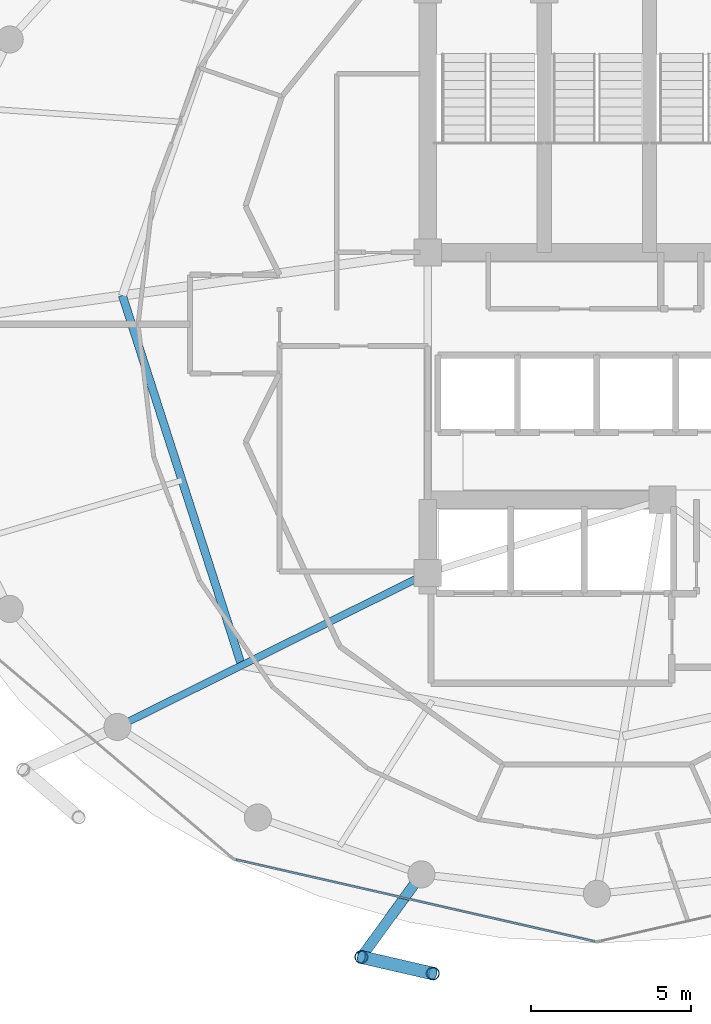
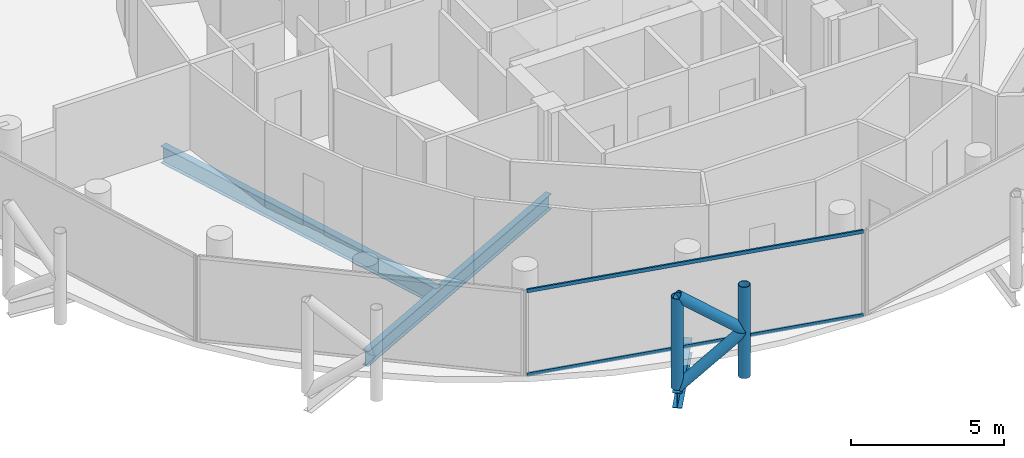
# One storey, part 4 of 27: 6 members, 3 beams, 1 element without a shape of its own.
"""IFC4 building model written with IfcOpenShell, lengths in metres."""

from ifc_helpers import new_model, si_unit, direction, frame, origin, origin_2d, place, context, subcontext, project, spatial, hollow_rectangle, hollow_circle, i_section, extrude, material, layer, layer_set, material_profile, profile_set, type_object, element, aggregate, save


model = new_model("IFC4")

# Units and contexts
model_context = context("Model", 3, precision=1e-05, world=origin(), true_north=direction((0.0, 1.0)))
body_context = subcontext(model_context, "Body", "Model", "MODEL_VIEW")
ifc_project = project(units=[si_unit("LENGTHUNIT", "METRE"), si_unit("AREAUNIT", "SQUARE_METRE"), si_unit("VOLUMEUNIT", "CUBIC_METRE"), si_unit("PLANEANGLEUNIT", "RADIAN"), si_unit("MASSUNIT", "GRAM", prefix="KILO")], contexts=[model_context])

# Site, building, storey
site_placement = place(None, origin())
site = spatial("IfcSite", under=ifc_project, at=site_placement, CompositionType="ELEMENT")
building_placement = place(site_placement, origin())
building = spatial("IfcBuilding", under=site, at=building_placement, Name="Nuhasar Tower", CompositionType="ELEMENT")
storey_placement = place(building_placement, frame((0.0, 0.0, 219.10009765625)))
storey = spatial("IfcBuildingStorey", under=building, at=storey_placement, Name="L53", CompositionType="ELEMENT", Elevation=219.10009765625)

# Beams
ifc_material_1 = material(Name="Steel S355", Category="steel")
ifc_material_profile_1 = material_profile(ifc_material_1, i_section(OverallWidth=0.25390625, OverallDepth=0.68408203125, WebThickness=0.012451171875, FlangeThickness=0.018798828125, at=origin_2d()), Name="W27X94")
ifc_profile_set_1 = profile_set([ifc_material_profile_1], Name="Steel S355")
beam_type_1 = type_object("IfcBeamType", Name="BM-INRING-W27X94", PredefinedType="BEAM", material=ifc_profile_set_1)
beam_1_placement = place(storey_placement, frame((24.1298828125, 27.699951171875, -0.58203125), z_axis=(0.306589852134, -0.951841721385, 0.0), x_axis=(0.951841721385, 0.306589852134, 0.0)))
element("IfcBeam", 1, at=beam_1_placement, inside=storey, type_object=beam_type_1, Name="L53 Inner Header Beam 08", PredefinedType="BEAM", context=body_context, shape_type="SweptSolid", body=[
    extrude(i_section(OverallWidth=0.25390625, OverallDepth=0.68408203125, WebThickness=0.012451171875, FlangeThickness=0.018798828125, at=origin_2d()), origin(), (0.0, 0.0, 1.0), 12.179443359375),
])
ifc_material_profile_2 = material_profile(ifc_material_1, i_section(OverallWidth=0.22900390625, OverallDepth=0.612060546875, WebThickness=0.011962890625, FlangeThickness=0.01953125, at=origin_2d()), Name="W24X84")
ifc_profile_set_2 = profile_set([ifc_material_profile_2], Name="Steel S355")
beam_type_2 = type_object("IfcBeamType", Name="BM-RAD-W24X84", PredefinedType="BEAM", material=ifc_profile_set_2)
beam_2_placement = place(storey_placement, frame((33.699951171875, 19.0, -0.546142578125), z_axis=(-0.895928935233, -0.444197414459, 0.0), x_axis=(0.444197414459, -0.895928935233, 0.0)))
element("IfcBeam", 2, at=beam_2_placement, inside=storey, type_object=beam_type_2, Name="L53 Radial Floor Girder 01", PredefinedType="BEAM", context=body_context, shape_type="SweptSolid", body=[
    extrude(i_section(OverallWidth=0.22900390625, OverallDepth=0.612060546875, WebThickness=0.011962890625, FlangeThickness=0.01953125, at=origin_2d()), origin(), (0.0, 0.0, 1.0), 10.85546875),
])
ifc_material_profile_3 = material_profile(ifc_material_1, i_section(OverallWidth=0.323974609375, OverallDepth=0.611083984375, WebThickness=0.0126953125, FlangeThickness=0.01904296875, at=origin_2d()), Name="W24X104")
ifc_profile_set_3 = profile_set([ifc_material_profile_3], Name="Steel S355")
beam_type_3 = type_object("IfcBeamType", Name="BM-TIE-W24X104", PredefinedType="BEAM", material=ifc_profile_set_3)
beam_3_placement = place(storey_placement, frame((33.5, 9.55810546875, -0.545166015625), z_axis=(-0.588094663461, -0.808792103577, 0.0), x_axis=(0.808792103577, -0.588094663461, 0.0)))
element("IfcBeam", 3, at=beam_3_placement, inside=storey, type_object=beam_type_3, Name="L53 Exoskeleton Node Tie Beam 09", PredefinedType="BEAM", context=body_context, shape_type="SweptSolid", body=[
    extrude(i_section(OverallWidth=0.323974609375, OverallDepth=0.611083984375, WebThickness=0.0126953125, FlangeThickness=0.01904296875, at=origin_2d()), origin(), (0.0, 0.0, 1.0), 3.20361328125),
])

# Curtain wall, members
ifc_material_2 = material(Name="Aluminium 6063-T6", Category="aluminium")
ifc_layer = layer(ifc_material_2, 0.18994140625)
ifc_layer_set = layer_set([ifc_layer], Name="Aluminium 6063-T6")
curtain_wall_type = type_object("IfcCurtainWallType", Name="CW-Z3-RES", PredefinedType="NOTDEFINED", material=ifc_layer_set)
curtain_wall_placement = place(storey_placement, origin())
curtain_wall = element("IfcCurtainWall", 4, at=curtain_wall_placement, inside=storey, type_object=curtain_wall_type, Name="L53 Unitised Curtain Wall 09", PredefinedType="NOTDEFINED")
ifc_material_profile_4 = material_profile(ifc_material_2, hollow_rectangle(XDim=0.06494140625, YDim=0.139892578125, WallThickness=0.00439453125, at=origin_2d()), Name="CWT-4")
ifc_profile_set_4 = profile_set([ifc_material_profile_4], Name="Aluminium 6063-T6")
member_type_1 = type_object("IfcMemberType", Name="CW-TRN-S4", PredefinedType="USERDEFINED", material=ifc_profile_set_4)
member_1_placement = place(storey_placement, frame((27.683349609375, 10.01953125, 0.032470703125), z_axis=(0.974989487479, -0.222250982686, 0.0), x_axis=(0.222250982686, 0.974989487479, 0.0)))
member_1 = element("IfcMember", 5, at=member_1_placement, type_object=member_type_1, Name="CW-Z3 transom 1.1", ObjectType="TRANSOM", PredefinedType="USERDEFINED", context=body_context, shape_type="SweptSolid", body=[
    extrude(hollow_rectangle(XDim=0.06494140625, YDim=0.139892578125, WallThickness=0.00439453125, at=origin_2d()), origin(), (0.0, 0.0, 1.0), 11.541748046875),
])
member_2_placement = place(storey_placement, frame((27.683349609375, 10.01953125, 3.37744140625), z_axis=(0.974989487479, -0.222250982686, 0.0), x_axis=(0.222250982686, 0.974989487479, 0.0)))
member_2 = element("IfcMember", 6, at=member_2_placement, type_object=member_type_1, Name="CW-Z3 transom 1.2", ObjectType="TRANSOM", PredefinedType="USERDEFINED", context=body_context, shape_type="SweptSolid", body=[
    extrude(hollow_rectangle(XDim=0.06494140625, YDim=0.139892578125, WallThickness=0.00439453125, at=origin_2d()), origin(), (0.0, 0.0, 1.0), 11.541748046875),
])
aggregate(curtain_wall, [member_1, member_2])

# Members
ifc_material_3 = material(Name="Steel S460", Category="steel")
ifc_material_profile_5 = material_profile(ifc_material_3, hollow_circle(Radius=0.203125, WallThickness=0.01904296875, at=origin_2d()), Name="HSS406.4X19.1")
ifc_profile_set_5 = profile_set([ifc_material_profile_5], Name="Steel S460")
member_type_2 = type_object("IfcMemberType", Name="EXO-BRONZE-406", PredefinedType="BRACE", material=ifc_profile_set_5)
for number, where, z_axis, x_axis, name in (
    (7, (31.615966796875, 6.967041015625, 0.0), (0.0, 0.0, 1.0), (1.0, 0.0, 0.0), "L53 Exoskeleton Chord Column EC-09A"),
    (8, (33.85693359375, 6.450927734375, 0.0), (0.0, 0.0, 1.0), (1.0, 0.0, 0.0), "L53 Exoskeleton Chord Column EC-09B"),
):
    element("IfcMember", number, at=place(storey_placement, frame(where, z_axis=z_axis, x_axis=x_axis)), inside=storey, type_object=member_type_2, Name=name, PredefinedType="BRACE", context=body_context, shape_type="SweptSolid", body=[
        extrude(hollow_circle(Radius=0.203125, WallThickness=0.01904296875, at=origin_2d()), origin(), (0.0, 0.0, 1.0), 3.64990234375),
    ])
for number, where, z_axis, x_axis, name in (
    (9, (31.615966796875, 6.967041015625, 0.0), (0.76333158458, -0.175801609086, 0.621625841021), (0.224433035437, 0.97448951385, 0.0), "L53 Bronze Diagrid Brace W1-09"),
    (10, (33.85693359375, 6.450927734375, 1.824951171875), (-0.76333158458, 0.175801609086, 0.621625841021), (-0.224433035437, -0.97448951385, 0.0), "L53 Bronze Diagrid Brace W2-09"),
):
    element("IfcMember", number, at=place(storey_placement, frame(where, z_axis=z_axis, x_axis=x_axis)), inside=storey, type_object=member_type_2, Name=name, PredefinedType="BRACE", context=body_context, shape_type="SweptSolid", body=[
        extrude(hollow_circle(Radius=0.203125, WallThickness=0.01904296875, at=origin_2d()), origin(), (0.0, 0.0, 1.0), 2.935791015625),
    ])

save(model, "model.ifc")
